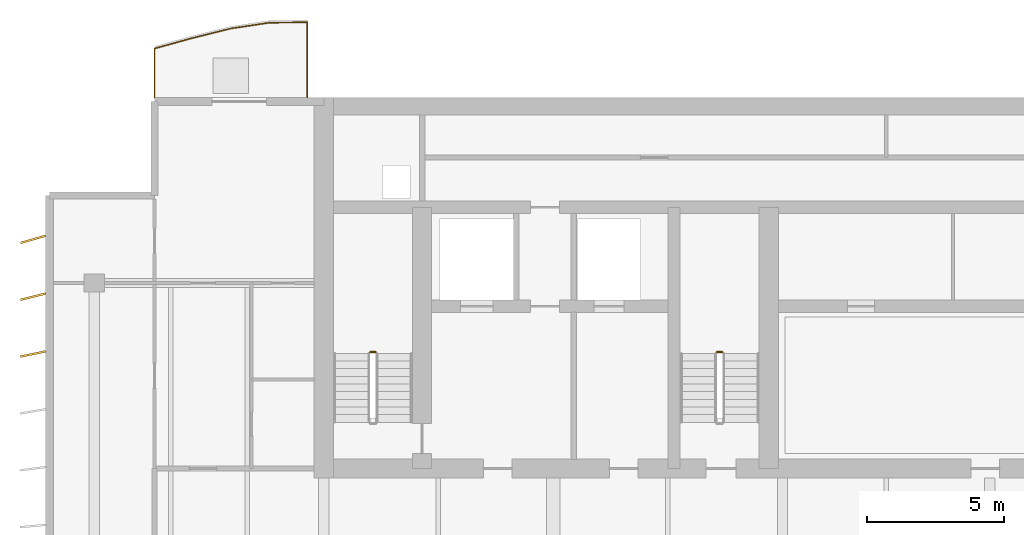
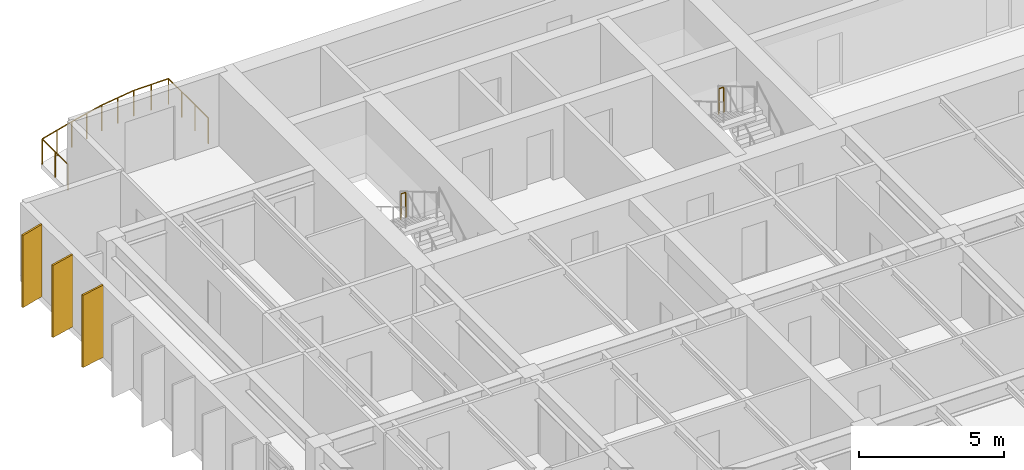
# One storey, part 18 of 19: 3 railings, 3 shading devices.
"""IFC4 building model written with IfcOpenShell, lengths in metres."""

from ifc_helpers import new_model, si_unit, direction, frame, origin, origin_2d, place, context, subcontext, project, spatial, rectangle, circle, extrude, material, material_profile, profile_set, type_object, element, save


model = new_model("IFC4")

# Units and contexts
model_context = context("Model", 3, precision=1e-05, world=origin(), true_north=direction((0.0, 1.0)))
body_context = subcontext(model_context, "Body", "Model", "MODEL_VIEW")
ifc_project = project(units=[si_unit("LENGTHUNIT", "METRE"), si_unit("AREAUNIT", "SQUARE_METRE"), si_unit("VOLUMEUNIT", "CUBIC_METRE"), si_unit("PLANEANGLEUNIT", "RADIAN"), si_unit("MASSUNIT", "GRAM", prefix="KILO")], contexts=[model_context])

# Site, building, storey
site_placement = place(None, origin())
site = spatial("IfcSite", under=ifc_project, at=site_placement, CompositionType="ELEMENT")
building_placement = place(site_placement, origin())
building = spatial("IfcBuilding", under=site, at=building_placement, Name="Caelmar Bay Residences", CompositionType="ELEMENT")
storey_placement = place(building_placement, frame((0.0, 0.0, 256.199951171875)))
storey = spatial("IfcBuildingStorey", under=building, at=storey_placement, Name="L72", CompositionType="ELEMENT", Elevation=256.199951171875)

# Railings
ifc_material_1 = material(Name="Anodised bronze handrail with laminated hurricane glass infill", Category="glass")
railing_type_1 = type_object("IfcRailingType", Name="RL-BAL-1100", PredefinedType="BALUSTRADE", material=ifc_material_1)
railing_placement = place(storey_placement, frame((17.699951171875, 50.60009765625, 0.0)))
element("IfcRailing", 1, at=railing_placement, inside=storey, type_object=railing_type_1, Name="L72 north_west Balcony Balustrade", PredefinedType="BALUSTRADE", context=body_context, shape_type="SweptSolid", body=[
    extrude(circle(Radius=0.02392578125, at=origin_2d()), frame((0.0, 0.0, 1.076171875), z_axis=(0.0, 1.0, 0.0), x_axis=(-1.0, 0.0, 0.0)), (0.0, 0.0, 1.0), 2.75341796875),
    extrude(circle(Radius=0.02392578125, at=origin_2d()), frame((0.0, 2.75341796875, 1.076171875), z_axis=(-0.999895252764, -0.014473544817, 0.0), x_axis=(0.014473544817, -0.999895252764, 0.0)), (0.0, 0.0, 1.0), 1.400146484375),
    extrude(circle(Radius=0.02392578125, at=origin_2d()), frame((-1.39990234375, 2.733154296875, 1.076171875), z_axis=(-0.988790443359, -0.149309943147, 0.0), x_axis=(0.149309943147, -0.988790443359, 0.0)), (0.0, 0.0, 1.0), 1.416015625),
    extrude(circle(Radius=0.02392578125, at=origin_2d()), frame((-2.800048828125, 2.521728515625, 1.076171875), z_axis=(-0.970796240082, -0.239905523578, 0.0), x_axis=(0.239905523578, -0.970796240082, 0.0)), (0.0, 0.0, 1.0), 1.44189453125),
    extrude(circle(Radius=0.02392578125, at=origin_2d()), frame((-4.199951171875, 2.17578125, 1.076171875), z_axis=(-0.963724701315, -0.266898295376, 0.0), x_axis=(0.266898295376, -0.963724701315, 0.0)), (0.0, 0.0, 1.0), 1.45263671875),
    extrude(circle(Radius=0.02392578125, at=origin_2d()), frame((-5.599853515625, 1.7880859375, 1.076171875), z_axis=(0.0, -1.0, 0.0), x_axis=(1.0, 0.0, 0.0)), (0.0, 0.0, 1.0), 1.7880859375),
    extrude(circle(Radius=0.02099609375, at=origin_2d()), origin(), (0.0, 0.0, 1.0), 1.052001953125),
    extrude(circle(Radius=0.02099609375, at=origin_2d()), frame((0.0, 0.917724609375, 0.0)), (0.0, 0.0, 1.0), 1.052001953125),
    extrude(circle(Radius=0.02099609375, at=origin_2d()), frame((0.0, 1.835693359375, 0.0)), (0.0, 0.0, 1.0), 1.052001953125),
    extrude(circle(Radius=0.02099609375, at=origin_2d()), frame((0.0, 2.75341796875, 0.0)), (0.0, 0.0, 1.0), 1.052001953125),
    extrude(circle(Radius=0.02099609375, at=origin_2d()), frame((-0.699951171875, 2.7431640625, 0.0)), (0.0, 0.0, 1.0), 1.052001953125),
    extrude(circle(Radius=0.02099609375, at=origin_2d()), frame((-1.39990234375, 2.733154296875, 0.0)), (0.0, 0.0, 1.0), 1.052001953125),
    extrude(circle(Radius=0.02099609375, at=origin_2d()), frame((-2.10009765625, 2.62744140625, 0.0)), (0.0, 0.0, 1.0), 1.052001953125),
    extrude(circle(Radius=0.02099609375, at=origin_2d()), frame((-2.800048828125, 2.521728515625, 0.0)), (0.0, 0.0, 1.0), 1.052001953125),
    extrude(circle(Radius=0.02099609375, at=origin_2d()), frame((-3.5, 2.3486328125, 0.0)), (0.0, 0.0, 1.0), 1.052001953125),
    extrude(circle(Radius=0.02099609375, at=origin_2d()), frame((-4.199951171875, 2.17578125, 0.0)), (0.0, 0.0, 1.0), 1.052001953125),
    extrude(circle(Radius=0.02099609375, at=origin_2d()), frame((-4.89990234375, 1.98193359375, 0.0)), (0.0, 0.0, 1.0), 1.052001953125),
    extrude(circle(Radius=0.02099609375, at=origin_2d()), frame((-5.599853515625, 1.7880859375, 0.0)), (0.0, 0.0, 1.0), 1.052001953125),
    extrude(circle(Radius=0.02099609375, at=origin_2d()), frame((-5.599853515625, 0.89404296875, 0.0)), (0.0, 0.0, 1.0), 1.052001953125),
    extrude(circle(Radius=0.02099609375, at=origin_2d()), frame((-5.599853515625, 0.0, 0.0)), (0.0, 0.0, 1.0), 1.052001953125),
])
ifc_material_2 = material(Name="Painted galvanized steel stair guard 1100 mm", Category="steel")
railing_type_2 = type_object("IfcRailingType", Name="RL-GRD-1100", PredefinedType="GUARDRAIL", material=ifc_material_2)
for number, where, name in (
    (2, (20.199951171875, 41.27001953125, 1.650146484375), "L72 ST1 stair guard 2"),
    (3, (32.89990234375, 41.27001953125, 1.650146484375), "L72 ST3 stair guard 2"),
):
    element("IfcRailing", number, at=place(storey_placement, frame(where)), inside=storey, type_object=railing_type_2, Name=name, PredefinedType="GUARDRAIL", context=body_context, shape_type="SweptSolid", body=[
        extrude(circle(Radius=0.02392578125, at=origin_2d()), frame((0.0, 0.0, 1.076171875), z_axis=(-1.0, 0.0, 0.0), x_axis=(0.0, -1.0, 0.0)), (0.0, 0.0, 1.0), 0.199951171875),
        extrude(circle(Radius=0.02099609375, at=origin_2d()), origin(), (0.0, 0.0, 1.0), 1.052001953125),
        extrude(circle(Radius=0.02099609375, at=origin_2d()), frame((-0.199951171875, 0.0, 0.0)), (0.0, 0.0, 1.0), 1.052001953125),
    ])

# Shading devices
ifc_material_3 = material(Name="Anodised architectural bronze aluminium 6063-T6", Category="aluminium")
ifc_material_profile = material_profile(ifc_material_3, rectangle(XDim=0.074951171875, YDim=0.949951171875, at=origin_2d()), Name="BRONZE-FIN-75X950")
ifc_profile_set = profile_set([ifc_material_profile], Name="Anodised architectural bronze aluminium 6063-T6")
shading_device_type = type_object("IfcShadingDeviceType", Name="SHD-FIN-950", PredefinedType="USERDEFINED", material=ifc_profile_set)
for number, where, z_axis, x_axis, name in (
    (4, (7.64990234375, 41.199951171875, 0.0), (0.0, 0.0, 1.0), (-0.2032999874, 0.979116497217, 0.0), "L72 West Bronze Solar Fin 14"),
    (5, (7.64990234375, 43.300048828125, 0.0), (0.0, 0.0, 1.0), (-0.239719743609, 0.970842131618, 0.0), "L72 West Bronze Solar Fin 15"),
    (6, (7.64990234375, 45.39990234375, 0.0), (0.0, 0.0, 1.0), (-0.275637355817, 0.961261695938, 0.0), "L72 West Bronze Solar Fin 16"),
):
    element("IfcShadingDevice", number, at=place(storey_placement, frame(where, z_axis=z_axis, x_axis=x_axis)), inside=storey, type_object=shading_device_type, Name=name, ObjectType="FIN", PredefinedType="USERDEFINED", context=body_context, shape_type="SweptSolid", body=[
        extrude(rectangle(XDim=0.074951171875, YDim=0.949951171875, at=origin_2d()), origin(), (0.0, 0.0, 1.0), 3.050048828125),
    ])

save(model, "model.ifc")
